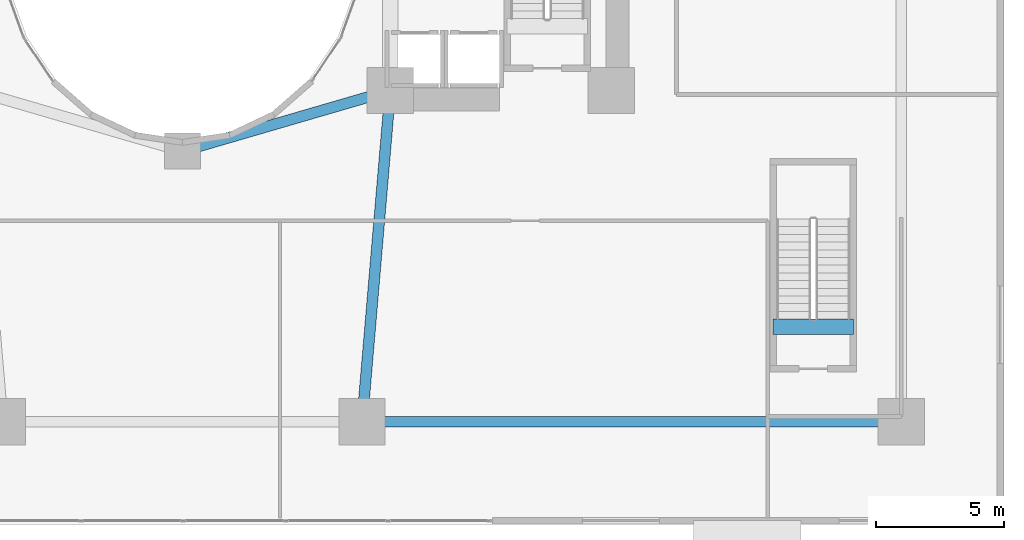
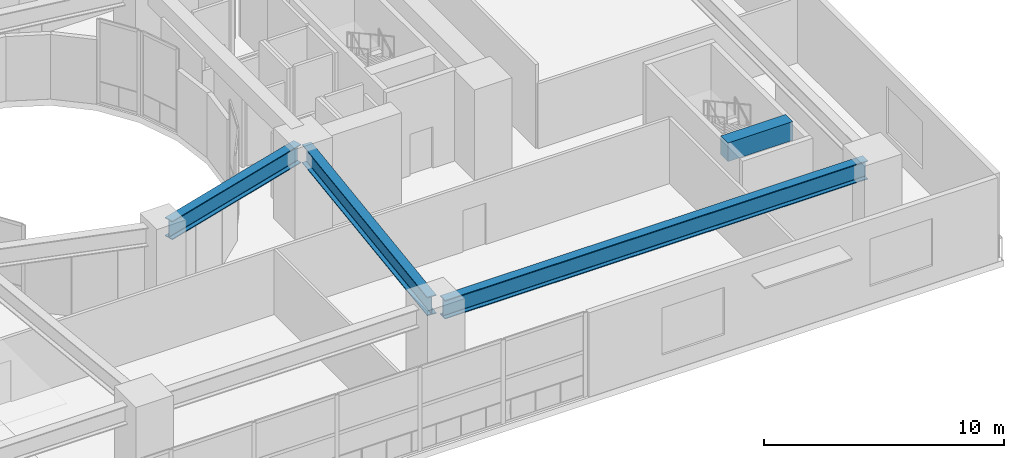
# One storey, part 6 of 25: 4 beams.
"""IFC4 building model written with IfcOpenShell, lengths in metres."""

from ifc_helpers import new_model, si_unit, direction, frame, origin, origin_2d, place, context, subcontext, project, spatial, rectangle, i_section, extrude, material, material_profile, profile_set, type_object, element, save


model = new_model("IFC4")

# Units and contexts
model_context = context("Model", 3, precision=1e-05, world=origin(), true_north=direction((0.0, 1.0)))
body_context = subcontext(model_context, "Body", "Model", "MODEL_VIEW")
ifc_project = project(units=[si_unit("LENGTHUNIT", "METRE"), si_unit("AREAUNIT", "SQUARE_METRE"), si_unit("VOLUMEUNIT", "CUBIC_METRE"), si_unit("PLANEANGLEUNIT", "RADIAN"), si_unit("MASSUNIT", "GRAM", prefix="KILO")], contexts=[model_context])

# Site, building, storey
site_placement = place(None, origin())
site = spatial("IfcSite", under=ifc_project, at=site_placement, CompositionType="ELEMENT")
building_placement = place(site_placement, origin())
building = spatial("IfcBuilding", under=site, at=building_placement, Name="Solvane Sanctuary Tower", CompositionType="ELEMENT")
storey_placement = place(building_placement, frame((0.0, 0.0, 4.60009765625)))
storey = spatial("IfcBuildingStorey", under=building, at=storey_placement, Name="L02", CompositionType="ELEMENT", Elevation=4.60009765625)

# Beams
ifc_material_1 = material(Name="Concrete C70/85", Category="concrete")
ifc_material_profile_1 = material_profile(ifc_material_1, rectangle(XDim=0.60009765625, YDim=0.949951171875, at=origin_2d()), Name="RC600X950")
ifc_profile_set_1 = profile_set([ifc_material_profile_1], Name="Concrete C70/85")
beam_type_1 = type_object("IfcBeamType", Name="Beam B-COUPLE RC600X950", PredefinedType="LINTEL", material=ifc_profile_set_1)
beam_1_placement = place(storey_placement, frame((55.010009765625, 7.69921875, 4.125), z_axis=(1.0, 0.0, 0.0), x_axis=(0.0, 1.0, 0.0)))
element("IfcBeam", 1, at=beam_1_placement, inside=storey, type_object=beam_type_1, Name="L02 ST-5 Stair Floor Landing Trimmer", PredefinedType="LINTEL", context=body_context, shape_type="SweptSolid", body=[
    extrude(rectangle(XDim=0.60009765625, YDim=0.949951171875, at=origin_2d()), origin(), (0.0, 0.0, 1.0), 3.119873046875),
])
ifc_material_2 = material(Name="Steel ASTM A913 Grade 65", Category="steel")
ifc_material_profile_2 = material_profile(ifc_material_2, i_section(OverallWidth=0.423095703125, OverallDepth=0.947998046875, WebThickness=0.02392578125, FlangeThickness=0.042724609375, FilletRadius=0.02392578125, at=origin_2d()), Name="W36X302")
ifc_profile_set_2 = profile_set([ifc_material_profile_2], Name="Steel ASTM A913 Grade 65")
beam_type_2 = type_object("IfcBeamType", Name="Beam B-POD-GIRD W36X302", PredefinedType="BEAM", material=ifc_profile_set_2)
beam_2_placement = place(storey_placement, frame((39.35009765625, 4.0, 3.803955078125), z_axis=(1.0, 0.0, 0.0), x_axis=(0.0, 1.0, 0.0)))
element("IfcBeam", 2, at=beam_2_placement, inside=storey, type_object=beam_type_2, Name="L02 Podium Primary Girder PG3", PredefinedType="BEAM", context=body_context, shape_type="SweptSolid", body=[
    extrude(i_section(OverallWidth=0.423095703125, OverallDepth=0.947998046875, WebThickness=0.02392578125, FlangeThickness=0.042724609375, FilletRadius=0.02392578125, at=origin_2d()), origin(), (0.0, 0.0, 1.0), 20.2998046875),
])
beam_3_placement = place(storey_placement, frame((39.02978515625, 4.3486328125, 3.803955078125), z_axis=(0.084962372295, 0.996384160499, 0.0), x_axis=(-0.996384160499, 0.084962372295, 0.0)))
element("IfcBeam", 3, at=beam_3_placement, inside=storey, type_object=beam_type_2, Name="L02 Podium Primary Girder PG10", PredefinedType="BEAM", context=body_context, shape_type="SweptSolid", body=[
    extrude(i_section(OverallWidth=0.423095703125, OverallDepth=0.947998046875, WebThickness=0.02392578125, FlangeThickness=0.042724609375, FilletRadius=0.02392578125, at=origin_2d()), origin(), (0.0, 0.0, 1.0), 12.246826171875),
])
beam_4_placement = place(storey_placement, frame((32.3359375, 14.637939453125, 3.803955078125), z_axis=(0.960084424813, 0.279710380987, 0.0), x_axis=(-0.279710380987, 0.960084424813, 0.0)))
element("IfcBeam", 4, at=beam_4_placement, inside=storey, type_object=beam_type_2, Name="L02 Podium Primary Girder PG18", PredefinedType="BEAM", context=body_context, shape_type="SweptSolid", body=[
    extrude(i_section(OverallWidth=0.423095703125, OverallDepth=0.947998046875, WebThickness=0.02392578125, FlangeThickness=0.042724609375, FilletRadius=0.02392578125, at=origin_2d()), origin(), (0.0, 0.0, 1.0), 7.73681640625),
])

save(model, "model.ifc")
